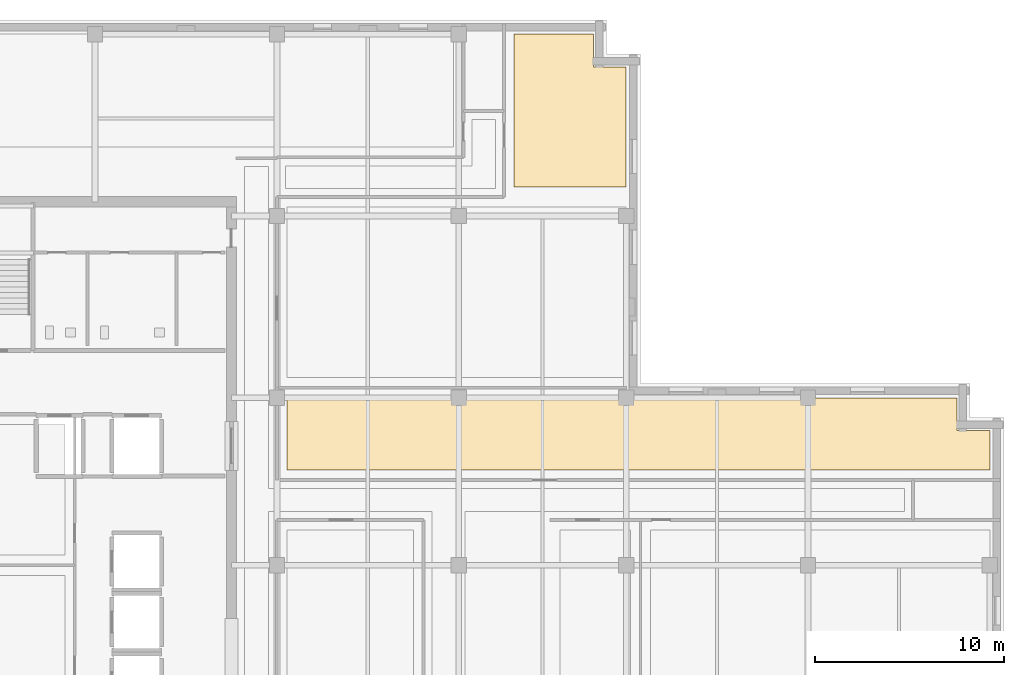
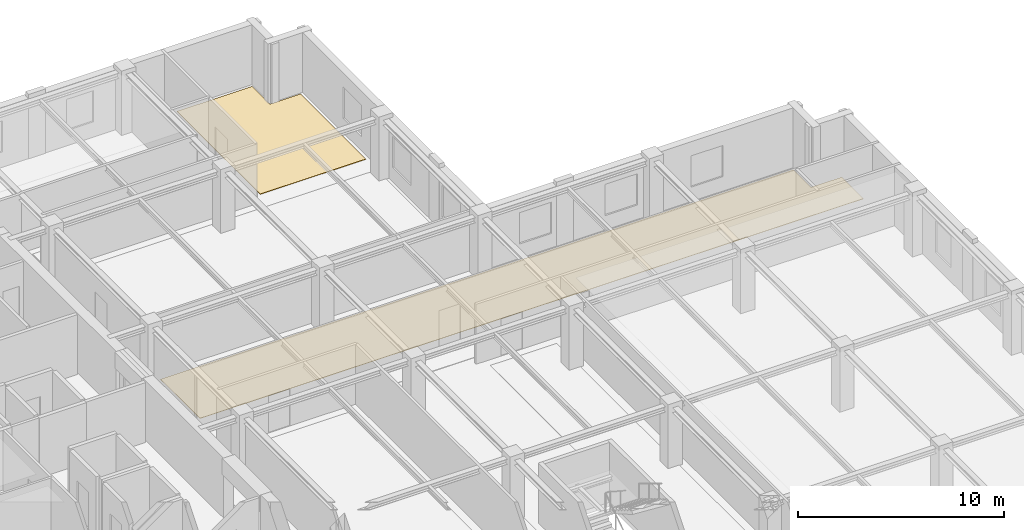
# One storey, part 11 of 12: 2 coverings.
"""IFC4 building model written with IfcOpenShell, lengths in metres."""

from ifc_helpers import new_model, si_unit, direction, frame, origin, place, context, subcontext, project, spatial, polyline, outline, extrude, material, layer, layer_set, type_object, element, save


model = new_model("IFC4")

# Units and contexts
model_context = context("Model", 3, precision=1e-05, world=origin(), true_north=direction((0.0, 1.0)))
body_context = subcontext(model_context, "Body", "Model", "MODEL_VIEW")
ifc_project = project(units=[si_unit("LENGTHUNIT", "METRE"), si_unit("AREAUNIT", "SQUARE_METRE"), si_unit("VOLUMEUNIT", "CUBIC_METRE"), si_unit("PLANEANGLEUNIT", "RADIAN"), si_unit("MASSUNIT", "GRAM", prefix="KILO")], contexts=[model_context])

# Site, building, storey
site_placement = place(None, origin())
site = spatial("IfcSite", under=ifc_project, at=site_placement, CompositionType="ELEMENT")
building_placement = place(site_placement, origin())
building = spatial("IfcBuilding", under=site, at=building_placement, Name="Norrvale University Quadrangle", CompositionType="ELEMENT")
storey_placement = place(building_placement, frame((0.0, 0.0, 237.0)))
storey = spatial("IfcBuildingStorey", under=building, at=storey_placement, Name="L60", CompositionType="ELEMENT", Elevation=237.0)

# Coverings
ifc_material = material(Name="Polished Terrazzo Flooring")
ifc_layer = layer(ifc_material, 0.02490234375, Name="Polished Terrazzo Flooring")
ifc_layer_set = layer_set([ifc_layer], Name="Polished Terrazzo Flooring")
covering_type = type_object("IfcCoveringType", Name="Covering Terrazzo Floor 30", PredefinedType="FLOORING", material=ifc_layer_set)
covering_1_placement = place(storey_placement, origin())
element("IfcCovering", 1, at=covering_1_placement, inside=storey, type_object=covering_type, Name="Terrazzo Flooring RM-L60-ME01", PredefinedType="FLOORING", context=body_context, shape_type="SweptSolid", body=[
    extrude(outline(polyline([(56.85009765625, 33.830078125), (19.72998046875, 33.830078125), (19.72998046875, 37.64990234375), (55.1298828125, 37.64990234375), (55.1298828125, 35.929931640625), (56.85009765625, 35.929931640625), (56.85009765625, 33.830078125)])), origin(), (0.0, 0.0, 1.0), 0.02490234375),
])
covering_2_placement = place(storey_placement, origin())
element("IfcCovering", 2, at=covering_2_placement, inside=storey, type_object=covering_type, Name="Terrazzo Flooring RM-L60-NE01", PredefinedType="FLOORING", context=body_context, shape_type="SweptSolid", body=[
    extrude(outline(polyline([(37.64990234375, 48.780029296875), (31.72998046875, 48.780029296875), (31.72998046875, 56.85009765625), (35.929931640625, 56.85009765625), (35.929931640625, 55.1298828125), (37.64990234375, 55.1298828125), (37.64990234375, 48.780029296875)])), origin(), (0.0, 0.0, 1.0), 0.02490234375),
])

save(model, "model.ifc")
